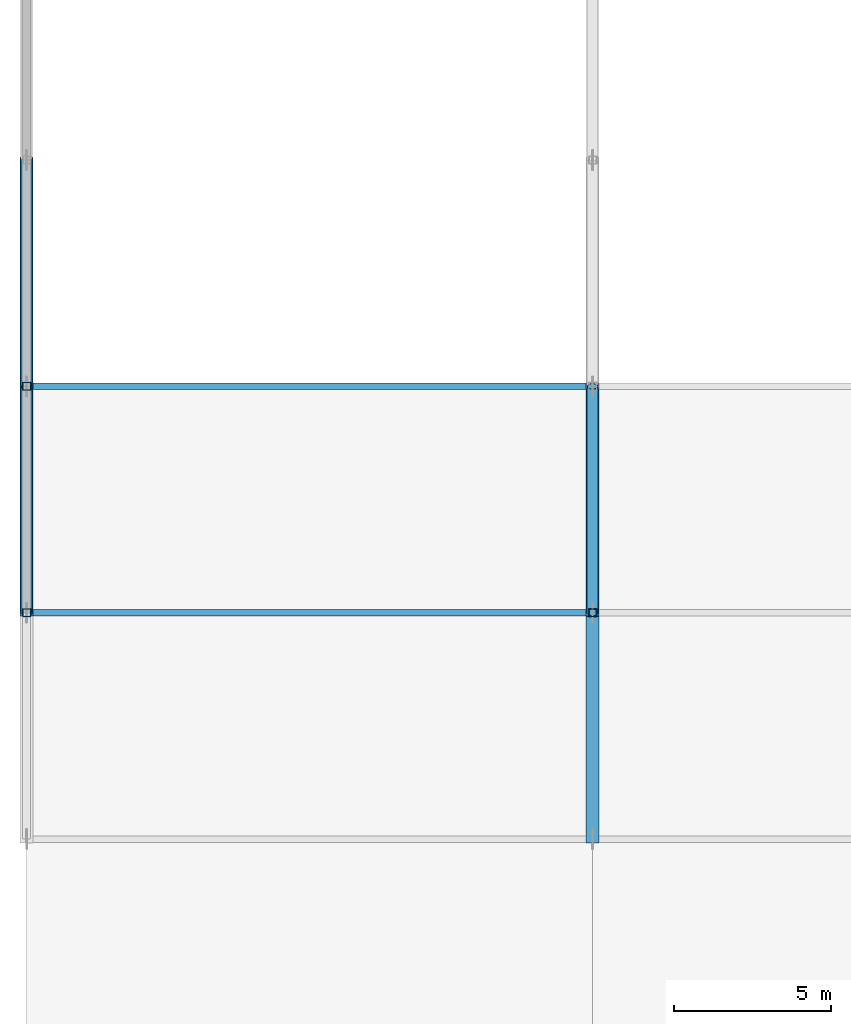
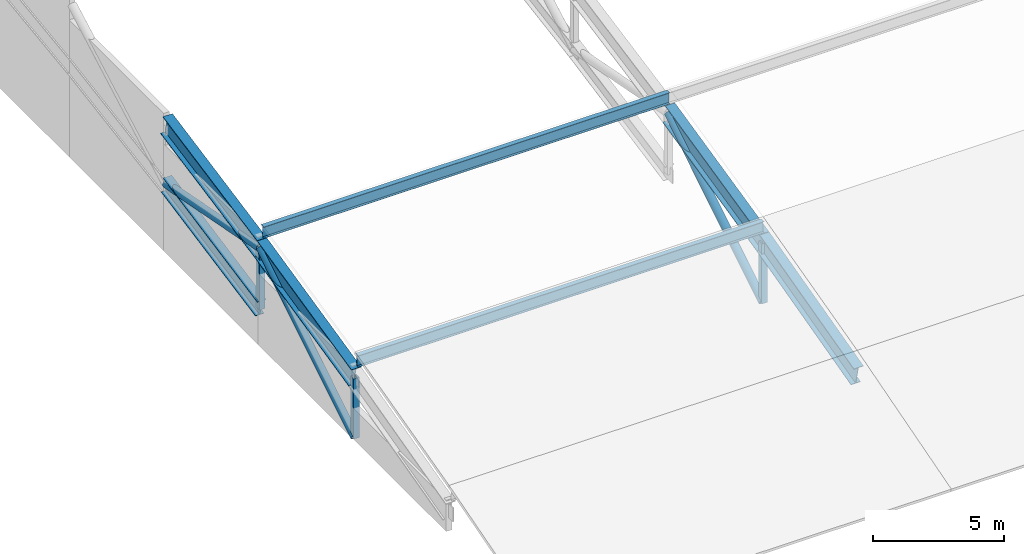
# One storey, part 13 of 124: 13 members.
"""IFC4 building model written with IfcOpenShell, lengths in metres."""

from ifc_helpers import new_model, si_unit, direction, frame, origin, origin_2d, place, context, subcontext, project, spatial, hollow_rectangle, hollow_circle, i_section, extrude, material, material_profile, profile_set, type_object, element, save


model = new_model("IFC4")

# Units and contexts
model_context = context("Model", 3, precision=1e-05, world=origin(), true_north=direction((0.0, 1.0)))
body_context = subcontext(model_context, "Body", "Model", "MODEL_VIEW")
ifc_project = project(units=[si_unit("LENGTHUNIT", "METRE"), si_unit("AREAUNIT", "SQUARE_METRE"), si_unit("VOLUMEUNIT", "CUBIC_METRE"), si_unit("PLANEANGLEUNIT", "RADIAN"), si_unit("MASSUNIT", "GRAM", prefix="KILO")], contexts=[model_context])

# Site, building, storey
site_placement = place(None, origin())
site = spatial("IfcSite", under=ifc_project, at=site_placement, CompositionType="ELEMENT")
building_placement = place(site_placement, origin())
building = spatial("IfcBuilding", under=site, at=building_placement, Name="Celestram Park Convention Centre", CompositionType="ELEMENT")
storey_placement = place(building_placement, frame((0.0, 0.0, 15.300048828125)))
storey = spatial("IfcBuildingStorey", under=building, at=storey_placement, Name="L03", CompositionType="ELEMENT", Elevation=15.300048828125)

# Members
ifc_material_1 = material(Name="Steel ASTM A500 Grade C", Category="steel")
ifc_material_profile_1 = material_profile(ifc_material_1, hollow_circle(Radius=0.177978515625, WallThickness=0.011962890625, at=origin_2d()), Name="CHS356X12")
ifc_profile_set_1 = profile_set([ifc_material_profile_1], Name="Steel ASTM A500 Grade C")
member_type_1 = type_object("IfcMemberType", Name="STR-BRC-CHS356", PredefinedType="BRACE", material=ifc_profile_set_1)
member_1_placement = place(storey_placement, frame((0.0, 36.0, -0.884765625), z_axis=(0.0, 0.850733884049, 0.525596669064), x_axis=(-1.0, 0.0, 0.0)))
element("IfcMember", 1, at=member_1_placement, inside=storey, type_object=member_type_1, Name="V1 arch web diagonal", PredefinedType="BRACE", context=body_context, shape_type="SweptSolid", body=[
    extrude(hollow_circle(Radius=0.177978515625, WallThickness=0.011962890625, at=origin_2d()), origin(), (0.0, 0.0, 1.0), 8.463134765625),
])
member_2_placement = place(storey_placement, frame((0.0, 43.199951171875, 3.5634765625), z_axis=(0.0, 0.982076449011, -0.188483018595), x_axis=(-1.0, 0.0, 0.0)))
element("IfcMember", 2, at=member_2_placement, inside=storey, type_object=member_type_1, Name="V1 arch web diagonal", PredefinedType="BRACE", context=body_context, shape_type="SweptSolid", body=[
    extrude(hollow_circle(Radius=0.177978515625, WallThickness=0.011962890625, at=origin_2d()), origin(), (0.0, 0.0, 1.0), 7.331298828125),
])
member_3_placement = place(storey_placement, frame((18.0, 36.0, -0.884765625), z_axis=(0.0, 0.850733884049, 0.525596669064), x_axis=(-1.0, 0.0, 0.0)))
element("IfcMember", 3, at=member_3_placement, inside=storey, type_object=member_type_1, Name="V1 arch web diagonal", PredefinedType="BRACE", context=body_context, shape_type="SweptSolid", body=[
    extrude(hollow_circle(Radius=0.177978515625, WallThickness=0.011962890625, at=origin_2d()), origin(), (0.0, 0.0, 1.0), 8.463134765625),
])
ifc_material_2 = material(Name="Steel ASTM A992 Grade 50", Category="steel")
ifc_material_profile_2 = material_profile(ifc_material_2, i_section(OverallWidth=0.381103515625, OverallDepth=0.77197265625, WebThickness=0.0166015625, FlangeThickness=0.027099609375, at=origin_2d()), Name="W30X173")
ifc_profile_set_2 = profile_set([ifc_material_profile_2], Name="Steel ASTM A992 Grade 50")
member_type_2 = type_object("IfcMemberType", Name="STR-CHD-W30X173", PredefinedType="CHORD", material=ifc_profile_set_2)
member_4_placement = place(storey_placement, frame((0.0, 43.199951171875, 0.763427734375), z_axis=(0.0, 0.981147221646, 0.193261815827), x_axis=(-1.0, 0.0, 0.0)))
element("IfcMember", 4, at=member_4_placement, inside=storey, type_object=member_type_2, Name="V1 arch bottom chord", PredefinedType="CHORD", context=body_context, shape_type="SweptSolid", body=[
    extrude(i_section(OverallWidth=0.381103515625, OverallDepth=0.77197265625, WebThickness=0.0166015625, FlangeThickness=0.027099609375, at=origin_2d()), origin(), (0.0, 0.0, 1.0), 7.33837890625),
])
ifc_material_profile_3 = material_profile(ifc_material_2, i_section(OverallWidth=0.4189453125, OverallDepth=0.927001953125, WebThickness=0.019287109375, FlangeThickness=0.031982421875, at=origin_2d()), Name="W36X231")
ifc_profile_set_3 = profile_set([ifc_material_profile_3], Name="Steel ASTM A992 Grade 50")
member_type_3 = type_object("IfcMemberType", Name="STR-CHD-W36X231", PredefinedType="CHORD", material=ifc_profile_set_3)
member_5_placement = place(storey_placement, frame((0.0, 36.0, 1.9150390625), z_axis=(0.0, 0.974778027662, 0.223176604482), x_axis=(-1.0, 0.0, 0.0)))
element("IfcMember", 5, at=member_5_placement, inside=storey, type_object=member_type_3, Name="V1 arch top chord", PredefinedType="CHORD", context=body_context, shape_type="SweptSolid", body=[
    extrude(i_section(OverallWidth=0.4189453125, OverallDepth=0.927001953125, WebThickness=0.019287109375, FlangeThickness=0.031982421875, at=origin_2d()), origin(), (0.0, 0.0, 1.0), 7.38623046875),
])
member_6_placement = place(storey_placement, frame((0.0, 43.199951171875, 3.5634765625), z_axis=(0.0, 0.981147221646, 0.193261815827), x_axis=(-1.0, 0.0, 0.0)))
element("IfcMember", 6, at=member_6_placement, inside=storey, type_object=member_type_3, Name="V1 arch top chord", PredefinedType="CHORD", context=body_context, shape_type="SweptSolid", body=[
    extrude(i_section(OverallWidth=0.4189453125, OverallDepth=0.927001953125, WebThickness=0.019287109375, FlangeThickness=0.031982421875, at=origin_2d()), origin(), (0.0, 0.0, 1.0), 7.33837890625),
])
member_7_placement = place(storey_placement, frame((18.0, 28.800048828125, 0.036865234375), z_axis=(0.0, 0.967619711376, 0.252412547544), x_axis=(-1.0, 0.0, 0.0)))
element("IfcMember", 7, at=member_7_placement, inside=storey, type_object=member_type_3, Name="V1 arch top chord", PredefinedType="CHORD", context=body_context, shape_type="SweptSolid", body=[
    extrude(i_section(OverallWidth=0.4189453125, OverallDepth=0.927001953125, WebThickness=0.019287109375, FlangeThickness=0.031982421875, at=origin_2d()), origin(), (0.0, 0.0, 1.0), 7.44091796875),
])
member_8_placement = place(storey_placement, frame((18.0, 36.0, 1.9150390625), z_axis=(0.0, 0.974778027662, 0.223176604482), x_axis=(-1.0, 0.0, 0.0)))
element("IfcMember", 8, at=member_8_placement, inside=storey, type_object=member_type_3, Name="V1 arch top chord", PredefinedType="CHORD", context=body_context, shape_type="SweptSolid", body=[
    extrude(i_section(OverallWidth=0.4189453125, OverallDepth=0.927001953125, WebThickness=0.019287109375, FlangeThickness=0.031982421875, at=origin_2d()), origin(), (0.0, 0.0, 1.0), 7.38623046875),
])
ifc_material_profile_4 = material_profile(ifc_material_2, i_section(OverallWidth=0.2099609375, OverallDepth=0.532958984375, WebThickness=0.01025390625, FlangeThickness=0.015625, at=origin_2d()), Name="W21X62")
ifc_profile_set_4 = profile_set([ifc_material_profile_4], Name="Steel ASTM A992 Grade 50")
member_type_4 = type_object("IfcMemberType", Name="STR-RFT-W21X62", PredefinedType="RAFTER", material=ifc_profile_set_4)
for number, where, z_axis, x_axis, name in (
    (9, (0.080078125, 36.0, 2.645263671875), (1.0, 0.0, 0.0), (0.0, 1.0, 0.0), "V1 roof purlin"),
    (10, (0.080078125, 43.199951171875, 4.29345703125), (1.0, 0.0, 0.0), (0.0, 1.0, 0.0), "V1 roof purlin"),
):
    element("IfcMember", number, at=place(storey_placement, frame(where, z_axis=z_axis, x_axis=x_axis)), inside=storey, type_object=member_type_4, Name=name, PredefinedType="RAFTER", context=body_context, shape_type="SweptSolid", body=[
        extrude(i_section(OverallWidth=0.2099609375, OverallDepth=0.532958984375, WebThickness=0.01025390625, FlangeThickness=0.015625, at=origin_2d()), origin(), (0.0, 0.0, 1.0), 17.919921875),
    ])
ifc_material_profile_5 = material_profile(ifc_material_1, hollow_rectangle(XDim=0.25, YDim=0.25, WallThickness=0.011962890625, at=origin_2d()), Name="HSS250X250X12")
ifc_profile_set_5 = profile_set([ifc_material_profile_5], Name="Steel ASTM A500 Grade C")
member_type_5 = type_object("IfcMemberType", Name="STR-STR-HSS250", PredefinedType="STRUT", material=ifc_profile_set_5)
member_9_placement = place(storey_placement, frame((0.0, 36.0, -0.884765625), z_axis=(0.0, 0.0, 1.0), x_axis=(1.0, 0.0, 0.0)))
element("IfcMember", 11, at=member_9_placement, inside=storey, type_object=member_type_5, Name="V1 arch vertical strut", PredefinedType="STRUT", context=body_context, shape_type="SweptSolid", body=[
    extrude(hollow_rectangle(XDim=0.25, YDim=0.25, WallThickness=0.011962890625, at=origin_2d()), origin(), (0.0, 0.0, 1.0), 2.7998046875),
])
member_10_placement = place(storey_placement, frame((0.0, 43.199951171875, 0.763427734375), z_axis=(0.0, 0.0, 1.0), x_axis=(1.0, 0.0, 0.0)))
element("IfcMember", 12, at=member_10_placement, inside=storey, type_object=member_type_5, Name="V1 arch vertical strut", PredefinedType="STRUT", context=body_context, shape_type="SweptSolid", body=[
    extrude(hollow_rectangle(XDim=0.25, YDim=0.25, WallThickness=0.011962890625, at=origin_2d()), origin(), (0.0, 0.0, 1.0), 2.800048828125),
])
member_11_placement = place(storey_placement, frame((18.0, 36.0, -0.884765625), z_axis=(0.0, 0.0, 1.0), x_axis=(1.0, 0.0, 0.0)))
element("IfcMember", 13, at=member_11_placement, inside=storey, type_object=member_type_5, Name="V1 arch vertical strut", PredefinedType="STRUT", context=body_context, shape_type="SweptSolid", body=[
    extrude(hollow_rectangle(XDim=0.25, YDim=0.25, WallThickness=0.011962890625, at=origin_2d()), origin(), (0.0, 0.0, 1.0), 2.7998046875),
])

save(model, "model.ifc")
